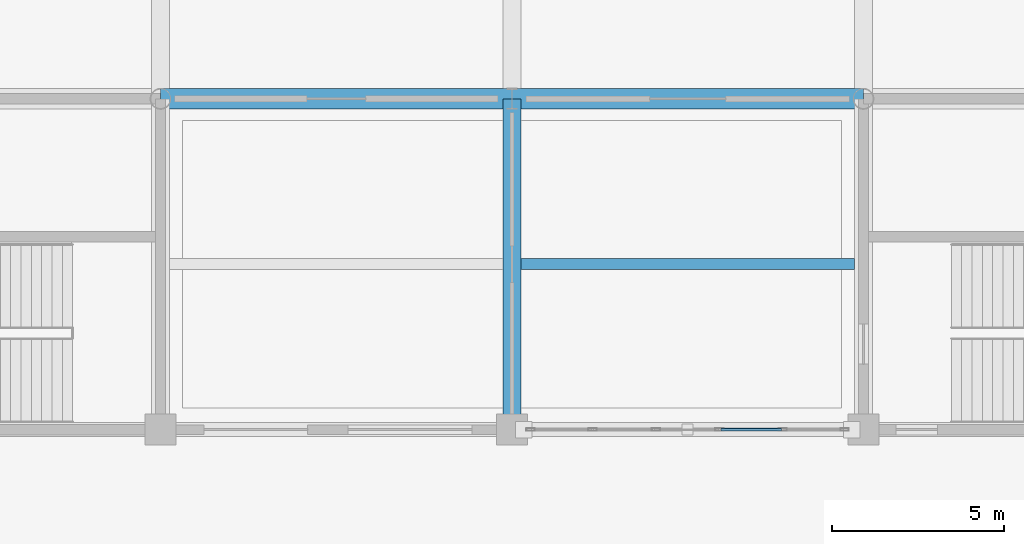
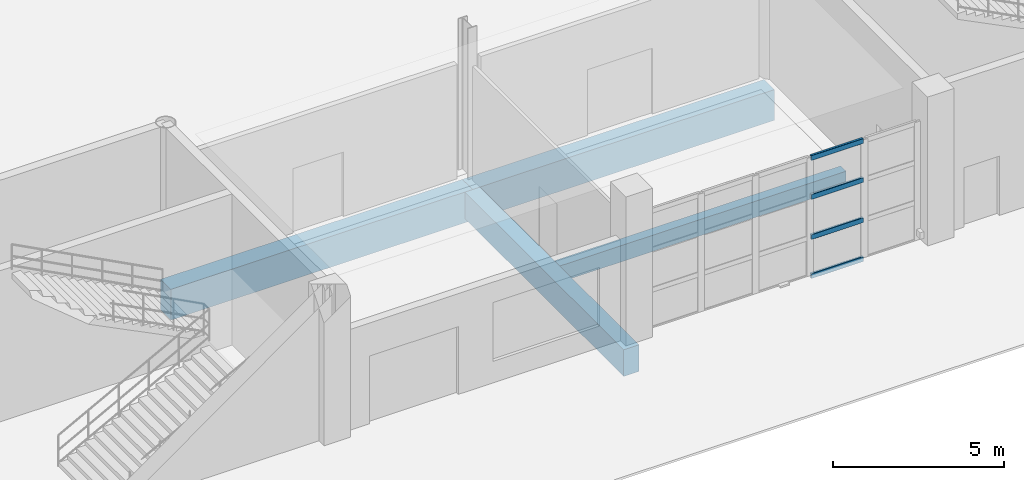
# One storey, part 31 of 124: 4 beams, 4 members, 1 element without a shape of its own.
"""IFC4 building model written with IfcOpenShell, lengths in metres."""

from ifc_helpers import new_model, si_unit, direction, frame, origin, origin_2d, place, context, subcontext, project, spatial, rectangle, hollow_rectangle, extrude, material, material_profile, profile_set, type_object, element, aggregate, save


model = new_model("IFC4")

# Units and contexts
model_context = context("Model", 3, precision=1e-05, world=origin(), true_north=direction((0.0, 1.0)))
body_context = subcontext(model_context, "Body", "Model", "MODEL_VIEW")
ifc_project = project(units=[si_unit("LENGTHUNIT", "METRE"), si_unit("AREAUNIT", "SQUARE_METRE"), si_unit("VOLUMEUNIT", "CUBIC_METRE"), si_unit("PLANEANGLEUNIT", "RADIAN"), si_unit("MASSUNIT", "GRAM", prefix="KILO")], contexts=[model_context])

# Site, building, storey
site_placement = place(None, origin())
site = spatial("IfcSite", under=ifc_project, at=site_placement, CompositionType="ELEMENT")
building_placement = place(site_placement, origin())
building = spatial("IfcBuilding", under=site, at=building_placement, Name="Brelvane Convention Centre", CompositionType="ELEMENT")
storey_placement = place(building_placement, origin())
storey = spatial("IfcBuildingStorey", under=building, at=storey_placement, Name="L00", CompositionType="ELEMENT", Elevation=0.0)

# Curtain wall, members
ifc_material_1 = material(Name="Anodised Aluminium Alloy 6063-T6", Category="aluminium")
curtain_wall_type = type_object("IfcCurtainWallType", Name="Curtain Wall CW-CONC", PredefinedType="USERDEFINED", material=ifc_material_1)
curtain_wall_placement = place(storey_placement, origin())
curtain_wall = element("IfcCurtainWall", 1, at=curtain_wall_placement, inside=storey, type_object=curtain_wall_type, Name="Curtain Wall CW-CONC L00-V1S-08", ObjectType="UNITISED", PredefinedType="USERDEFINED")
ifc_material_2 = material(Name="Anodised Aluminium Alloy 6063-T6", Category="aluminium")
ifc_material_profile_1 = material_profile(ifc_material_2, hollow_rectangle(XDim=0.080078125, YDim=0.179931640625, WallThickness=0.0048828125, InnerFilletRadius=0.0048828125, OuterFilletRadius=0.010009765625, at=origin_2d()), Name="ALU-T 180x80x5.0")
ifc_profile_set_1 = profile_set([ifc_material_profile_1], Name="Anodised Aluminium Alloy 6063-T6")
member_type = type_object("IfcMemberType", Name="Curtain Transom CW-T1", PredefinedType="USERDEFINED", material=ifc_profile_set_1)
member_1_placement = place(storey_placement, frame((77.4599609375, 19.199951171875, 0.0400390625), z_axis=(1.0, 0.0, 0.0), x_axis=(0.0, 1.0, 0.0)))
member_1 = element("IfcMember", 2, at=member_1_placement, type_object=member_type, Name="CW-CONC transom 4.1", ObjectType="TRANSOM", PredefinedType="USERDEFINED", context=body_context, shape_type="SweptSolid", body=[
    extrude(hollow_rectangle(XDim=0.080078125, YDim=0.179931640625, WallThickness=0.0048828125, InnerFilletRadius=0.0048828125, OuterFilletRadius=0.010009765625, at=origin_2d()), origin(), (0.0, 0.0, 1.0), 1.760009765625),
])
member_2_placement = place(storey_placement, frame((77.4599609375, 19.199951171875, 1.433349609375), z_axis=(1.0, 0.0, 0.0), x_axis=(0.0, 1.0, 0.0)))
member_2 = element("IfcMember", 3, at=member_2_placement, type_object=member_type, Name="CW-CONC transom 4.2", ObjectType="TRANSOM", PredefinedType="USERDEFINED", context=body_context, shape_type="SweptSolid", body=[
    extrude(hollow_rectangle(XDim=0.080078125, YDim=0.179931640625, WallThickness=0.0048828125, InnerFilletRadius=0.0048828125, OuterFilletRadius=0.010009765625, at=origin_2d()), origin(), (0.0, 0.0, 1.0), 1.760009765625),
])
member_3_placement = place(storey_placement, frame((77.4599609375, 19.199951171875, 2.86669921875), z_axis=(1.0, 0.0, 0.0), x_axis=(0.0, 1.0, 0.0)))
member_3 = element("IfcMember", 4, at=member_3_placement, type_object=member_type, Name="CW-CONC transom 4.3", ObjectType="TRANSOM", PredefinedType="USERDEFINED", context=body_context, shape_type="SweptSolid", body=[
    extrude(hollow_rectangle(XDim=0.080078125, YDim=0.179931640625, WallThickness=0.0048828125, InnerFilletRadius=0.0048828125, OuterFilletRadius=0.010009765625, at=origin_2d()), origin(), (0.0, 0.0, 1.0), 1.760009765625),
])
member_4_placement = place(storey_placement, frame((77.4599609375, 19.199951171875, 4.260009765625), z_axis=(1.0, 0.0, 0.0), x_axis=(0.0, 1.0, 0.0)))
member_4 = element("IfcMember", 5, at=member_4_placement, type_object=member_type, Name="CW-CONC transom 4.4", ObjectType="TRANSOM", PredefinedType="USERDEFINED", context=body_context, shape_type="SweptSolid", body=[
    extrude(hollow_rectangle(XDim=0.080078125, YDim=0.179931640625, WallThickness=0.0048828125, InnerFilletRadius=0.0048828125, OuterFilletRadius=0.010009765625, at=origin_2d()), origin(), (0.0, 0.0, 1.0), 1.760009765625),
])
aggregate(curtain_wall, [member_1, member_2, member_3, member_4])

# Beams
ifc_material_3 = material(Name="Concrete M50", Category="concrete")
ifc_material_profile_2 = material_profile(ifc_material_3, rectangle(XDim=0.60009765625, YDim=1.10009765625, at=origin_2d()), Name="RC 600x1100")
ifc_profile_set_2 = profile_set([ifc_material_profile_2], Name="Concrete M50")
beam_type_1 = type_object("IfcBeamType", Name="RC Beam B-RC2 (RC 600x1100)", PredefinedType="BEAM", material=ifc_profile_set_2)
beam_1_placement = place(storey_placement, frame((61.199951171875, 28.800048828125, -0.949951171875), z_axis=(1.0, 0.0, 0.0), x_axis=(0.0, 1.0, 0.0)))
element("IfcBeam", 6, at=beam_1_placement, inside=storey, type_object=beam_type_1, Name="L00 Beam 7-8/D", PredefinedType="BEAM", context=body_context, shape_type="SweptSolid", body=[
    extrude(rectangle(XDim=0.60009765625, YDim=1.10009765625, at=origin_2d()), origin(), (0.0, 0.0, 1.0), 10.199951171875),
])
beam_2_placement = place(storey_placement, frame((71.39990234375, 28.800048828125, -0.949951171875), z_axis=(1.0, 0.0, 0.0), x_axis=(0.0, 1.0, 0.0)))
element("IfcBeam", 7, at=beam_2_placement, inside=storey, type_object=beam_type_1, Name="L00 Beam 8-9/D", PredefinedType="BEAM", context=body_context, shape_type="SweptSolid", body=[
    extrude(rectangle(XDim=0.60009765625, YDim=1.10009765625, at=origin_2d()), origin(), (0.0, 0.0, 1.0), 10.2001953125),
])
ifc_material_4 = material(Name="Concrete M50", Category="concrete")
ifc_material_profile_3 = material_profile(ifc_material_4, rectangle(XDim=0.52001953125, YDim=0.949951171875, at=origin_2d()), Name="RC 520x950")
ifc_profile_set_3 = profile_set([ifc_material_profile_3], Name="Concrete M50")
beam_type_2 = type_object("IfcBeamType", Name="RC Beam B-RC9 (RC 520x950)", PredefinedType="BEAM", material=ifc_profile_set_3)
beam_3_placement = place(storey_placement, frame((71.39990234375, 19.199951171875, -0.875), z_axis=(0.0, 1.0, 0.0), x_axis=(-1.0, 0.0, 0.0)))
element("IfcBeam", 8, at=beam_3_placement, inside=storey, type_object=beam_type_2, Name="L00 Girder 8/C-D", PredefinedType="BEAM", context=body_context, shape_type="SweptSolid", body=[
    extrude(rectangle(XDim=0.52001953125, YDim=0.949951171875, at=origin_2d()), origin(), (0.0, 0.0, 1.0), 9.60009765625),
])
ifc_material_5 = material(Name="Concrete M40", Category="concrete")
ifc_material_profile_4 = material_profile(ifc_material_5, rectangle(XDim=0.320068359375, YDim=0.580078125, at=origin_2d()), Name="RC 320x580")
ifc_profile_set_4 = profile_set([ifc_material_profile_4], Name="Concrete M40")
beam_type_3 = type_object("IfcBeamType", Name="RC Joist J-RC3 (RC 320x580)", PredefinedType="JOIST", material=ifc_profile_set_4)
beam_4_placement = place(storey_placement, frame((71.659912109375, 24.0, -0.68994140625), z_axis=(1.0, 0.0, 0.0), x_axis=(0.0, 1.0, 0.0)))
element("IfcBeam", 9, at=beam_4_placement, inside=storey, type_object=beam_type_3, Name="L00 Secondary Joist 8-9/CD", PredefinedType="JOIST", context=body_context, shape_type="SweptSolid", body=[
    extrude(rectangle(XDim=0.320068359375, YDim=0.580078125, at=origin_2d()), origin(), (0.0, 0.0, 1.0), 9.68017578125),
])

save(model, "model.ifc")
